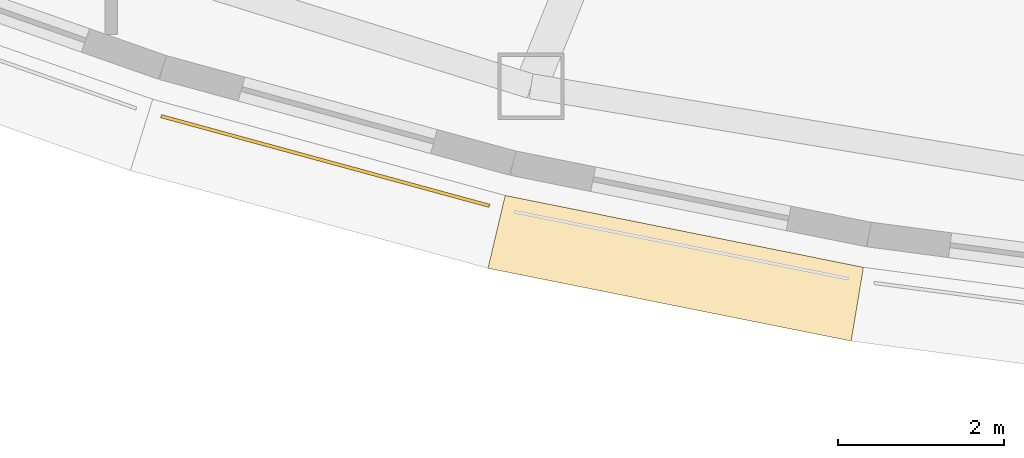
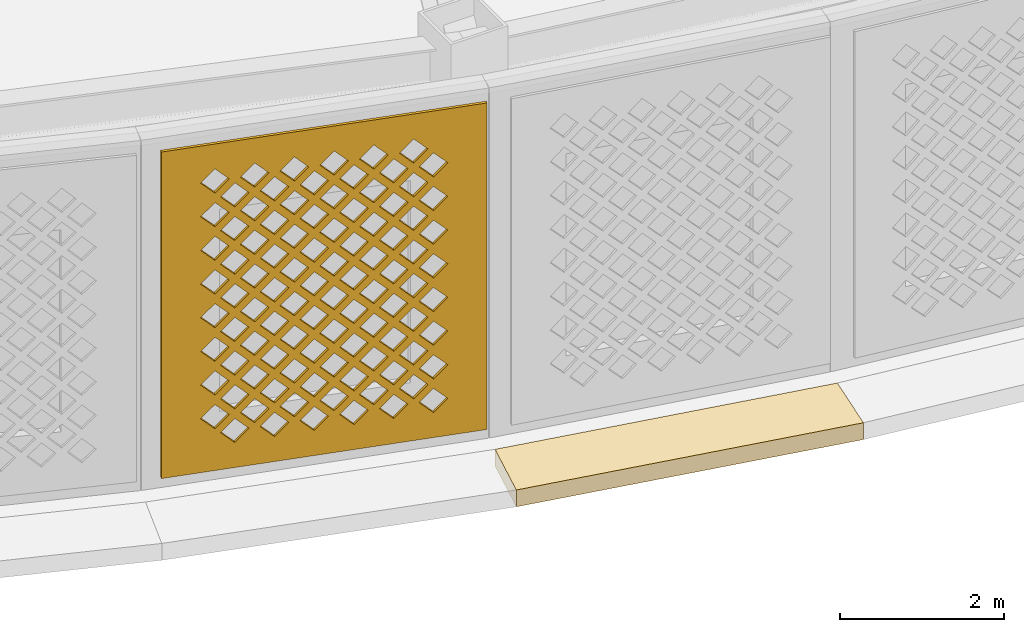
# One storey, part 43 of 63: 2 coverings.
"""IFC4 building model written with IfcOpenShell, lengths in metres."""

from ifc_helpers import new_model, si_unit, direction, frame, origin, place, context, subcontext, project, spatial, polyline, outline, extrude, material, layer, layer_set, type_object, element, save


model = new_model("IFC4")

# Units and contexts
model_context = context("Model", 3, precision=1e-05, world=origin(), true_north=direction((0.0, 1.0)))
body_context = subcontext(model_context, "Body", "Model", "MODEL_VIEW")
ifc_project = project(units=[si_unit("LENGTHUNIT", "METRE"), si_unit("AREAUNIT", "SQUARE_METRE"), si_unit("VOLUMEUNIT", "CUBIC_METRE"), si_unit("PLANEANGLEUNIT", "RADIAN"), si_unit("MASSUNIT", "GRAM", prefix="KILO")], contexts=[model_context])

# Site, building, storey
site_placement = place(None, origin())
site = spatial("IfcSite", under=ifc_project, at=site_placement, CompositionType="ELEMENT")
building_placement = place(site_placement, origin())
building = spatial("IfcBuilding", under=site, at=building_placement, Name="Noorbagh Ring Tower", CompositionType="ELEMENT")
storey_placement = place(building_placement, frame((0.0, 0.0, 25.0)))
storey = spatial("IfcBuildingStorey", under=building, at=storey_placement, Name="L04", CompositionType="ELEMENT", Elevation=25.0)

# Coverings
ifc_material_1 = material(Name="Red sandstone eave", Category="masonry")
covering_type_1 = type_object("IfcCoveringType", Name="STY-CHHAJJA", PredefinedType="USERDEFINED", material=ifc_material_1)
covering_1_placement = place(storey_placement, frame((0.0, 0.0, -0.25)))
element("IfcCovering", 1, at=covering_1_placement, inside=storey, type_object=covering_type_1, Name="Chhajja eave", ObjectType="CHHAJJA", PredefinedType="USERDEFINED", context=body_context, shape_type="SweptSolid", body=[
    extrude(outline(polyline([(-15.2568359375, -38.239501953125), (-10.945556640625, -39.103759765625), (-11.093017578125, -39.9921875), (-15.464111328125, -39.115966796875), (-15.2568359375, -38.239501953125)])), origin(), (0.0, 0.0, 1.0), 0.25),
])
ifc_material_2 = material(Name="Red sandstone jali", Category="masonry")
ifc_layer = layer(ifc_material_2, 0.0400390625)
ifc_layer_set = layer_set([ifc_layer], Name="Red sandstone jali")
covering_type_2 = type_object("IfcCoveringType", Name="STY-JALI", PredefinedType="USERDEFINED", material=ifc_layer_set)
covering_2_placement = place(storey_placement, frame((-19.40380859375, -37.30419921875, 0.449951171875), z_axis=(-0.26339977228, -0.964686767797, 0.0), x_axis=(0.964686767797, -0.26339977228, 0.0)))
element("IfcCovering", 2, at=covering_2_placement, inside=storey, type_object=covering_type_2, Name="Jali screen", ObjectType="SCREEN", PredefinedType="USERDEFINED", context=body_context, shape_type="SweptSolid", body=[
    extrude(outline(polyline([(0.0, 0.0), (4.096923828125, 0.0), (4.096923828125, 4.85009765625), (0.0, 4.85009765625), (0.0, 0.0)]), holes=[polyline([(0.743408203125, 0.550048828125), (0.923583984375, 0.3701171875), (1.103515625, 0.550048828125), (0.923583984375, 0.72998046875), (0.743408203125, 0.550048828125)]), polyline([(1.243408203125, 0.550048828125), (1.423583984375, 0.3701171875), (1.603515625, 0.550048828125), (1.423583984375, 0.72998046875), (1.243408203125, 0.550048828125)]), polyline([(1.743408203125, 0.550048828125), (1.923583984375, 0.3701171875), (2.103515625, 0.550048828125), (1.923583984375, 0.72998046875), (1.743408203125, 0.550048828125)]), polyline([(2.243408203125, 0.550048828125), (2.423583984375, 0.3701171875), (2.603515625, 0.550048828125), (2.423583984375, 0.72998046875), (2.243408203125, 0.550048828125)]), polyline([(2.743408203125, 0.550048828125), (2.923583984375, 0.3701171875), (3.103515625, 0.550048828125), (2.923583984375, 0.72998046875), (2.743408203125, 0.550048828125)]), polyline([(3.243408203125, 0.550048828125), (3.423583984375, 0.3701171875), (3.603515625, 0.550048828125), (3.423583984375, 0.72998046875), (3.243408203125, 0.550048828125)]), polyline([(0.493408203125, 0.800048828125), (0.673583984375, 0.6201171875), (0.853515625, 0.800048828125), (0.673583984375, 0.97998046875), (0.493408203125, 0.800048828125)]), polyline([(0.993408203125, 0.800048828125), (1.173583984375, 0.6201171875), (1.353515625, 0.800048828125), (1.173583984375, 0.97998046875), (0.993408203125, 0.800048828125)]), polyline([(1.493408203125, 0.800048828125), (1.673583984375, 0.6201171875), (1.853515625, 0.800048828125), (1.673583984375, 0.97998046875), (1.493408203125, 0.800048828125)]), polyline([(1.993408203125, 0.800048828125), (2.173583984375, 0.6201171875), (2.353515625, 0.800048828125), (2.173583984375, 0.97998046875), (1.993408203125, 0.800048828125)]), polyline([(2.493408203125, 0.800048828125), (2.673583984375, 0.6201171875), (2.853515625, 0.800048828125), (2.673583984375, 0.97998046875), (2.493408203125, 0.800048828125)]), polyline([(2.993408203125, 0.800048828125), (3.173583984375, 0.6201171875), (3.353515625, 0.800048828125), (3.173583984375, 0.97998046875), (2.993408203125, 0.800048828125)]), polyline([(0.743408203125, 1.050048828125), (0.923583984375, 0.8701171875), (1.103515625, 1.050048828125), (0.923583984375, 1.22998046875), (0.743408203125, 1.050048828125)]), polyline([(1.243408203125, 1.050048828125), (1.423583984375, 0.8701171875), (1.603515625, 1.050048828125), (1.423583984375, 1.22998046875), (1.243408203125, 1.050048828125)]), polyline([(1.743408203125, 1.050048828125), (1.923583984375, 0.8701171875), (2.103515625, 1.050048828125), (1.923583984375, 1.22998046875), (1.743408203125, 1.050048828125)]), polyline([(2.243408203125, 1.050048828125), (2.423583984375, 0.8701171875), (2.603515625, 1.050048828125), (2.423583984375, 1.22998046875), (2.243408203125, 1.050048828125)]), polyline([(2.743408203125, 1.050048828125), (2.923583984375, 0.8701171875), (3.103515625, 1.050048828125), (2.923583984375, 1.22998046875), (2.743408203125, 1.050048828125)]), polyline([(3.243408203125, 1.050048828125), (3.423583984375, 0.8701171875), (3.603515625, 1.050048828125), (3.423583984375, 1.22998046875), (3.243408203125, 1.050048828125)]), polyline([(0.493408203125, 1.300048828125), (0.673583984375, 1.1201171875), (0.853515625, 1.300048828125), (0.673583984375, 1.47998046875), (0.493408203125, 1.300048828125)]), polyline([(0.993408203125, 1.300048828125), (1.173583984375, 1.1201171875), (1.353515625, 1.300048828125), (1.173583984375, 1.47998046875), (0.993408203125, 1.300048828125)]), polyline([(1.493408203125, 1.300048828125), (1.673583984375, 1.1201171875), (1.853515625, 1.300048828125), (1.673583984375, 1.47998046875), (1.493408203125, 1.300048828125)]), polyline([(1.993408203125, 1.300048828125), (2.173583984375, 1.1201171875), (2.353515625, 1.300048828125), (2.173583984375, 1.47998046875), (1.993408203125, 1.300048828125)]), polyline([(2.493408203125, 1.300048828125), (2.673583984375, 1.1201171875), (2.853515625, 1.300048828125), (2.673583984375, 1.47998046875), (2.493408203125, 1.300048828125)]), polyline([(2.993408203125, 1.300048828125), (3.173583984375, 1.1201171875), (3.353515625, 1.300048828125), (3.173583984375, 1.47998046875), (2.993408203125, 1.300048828125)]), polyline([(0.743408203125, 1.550048828125), (0.923583984375, 1.3701171875), (1.103515625, 1.550048828125), (0.923583984375, 1.72998046875), (0.743408203125, 1.550048828125)]), polyline([(1.243408203125, 1.550048828125), (1.423583984375, 1.3701171875), (1.603515625, 1.550048828125), (1.423583984375, 1.72998046875), (1.243408203125, 1.550048828125)]), polyline([(1.743408203125, 1.550048828125), (1.923583984375, 1.3701171875), (2.103515625, 1.550048828125), (1.923583984375, 1.72998046875), (1.743408203125, 1.550048828125)]), polyline([(2.243408203125, 1.550048828125), (2.423583984375, 1.3701171875), (2.603515625, 1.550048828125), (2.423583984375, 1.72998046875), (2.243408203125, 1.550048828125)]), polyline([(2.743408203125, 1.550048828125), (2.923583984375, 1.3701171875), (3.103515625, 1.550048828125), (2.923583984375, 1.72998046875), (2.743408203125, 1.550048828125)]), polyline([(3.243408203125, 1.550048828125), (3.423583984375, 1.3701171875), (3.603515625, 1.550048828125), (3.423583984375, 1.72998046875), (3.243408203125, 1.550048828125)]), polyline([(0.493408203125, 1.800048828125), (0.673583984375, 1.6201171875), (0.853515625, 1.800048828125), (0.673583984375, 1.97998046875), (0.493408203125, 1.800048828125)]), polyline([(0.993408203125, 1.800048828125), (1.173583984375, 1.6201171875), (1.353515625, 1.800048828125), (1.173583984375, 1.97998046875), (0.993408203125, 1.800048828125)]), polyline([(1.493408203125, 1.800048828125), (1.673583984375, 1.6201171875), (1.853515625, 1.800048828125), (1.673583984375, 1.97998046875), (1.493408203125, 1.800048828125)]), polyline([(1.993408203125, 1.800048828125), (2.173583984375, 1.6201171875), (2.353515625, 1.800048828125), (2.173583984375, 1.97998046875), (1.993408203125, 1.800048828125)]), polyline([(2.493408203125, 1.800048828125), (2.673583984375, 1.6201171875), (2.853515625, 1.800048828125), (2.673583984375, 1.97998046875), (2.493408203125, 1.800048828125)]), polyline([(2.993408203125, 1.800048828125), (3.173583984375, 1.6201171875), (3.353515625, 1.800048828125), (3.173583984375, 1.97998046875), (2.993408203125, 1.800048828125)]), polyline([(0.743408203125, 2.050048828125), (0.923583984375, 1.8701171875), (1.103515625, 2.050048828125), (0.923583984375, 2.22998046875), (0.743408203125, 2.050048828125)]), polyline([(1.243408203125, 2.050048828125), (1.423583984375, 1.8701171875), (1.603515625, 2.050048828125), (1.423583984375, 2.22998046875), (1.243408203125, 2.050048828125)]), polyline([(1.743408203125, 2.050048828125), (1.923583984375, 1.8701171875), (2.103515625, 2.050048828125), (1.923583984375, 2.22998046875), (1.743408203125, 2.050048828125)]), polyline([(2.243408203125, 2.050048828125), (2.423583984375, 1.8701171875), (2.603515625, 2.050048828125), (2.423583984375, 2.22998046875), (2.243408203125, 2.050048828125)]), polyline([(2.743408203125, 2.050048828125), (2.923583984375, 1.8701171875), (3.103515625, 2.050048828125), (2.923583984375, 2.22998046875), (2.743408203125, 2.050048828125)]), polyline([(3.243408203125, 2.050048828125), (3.423583984375, 1.8701171875), (3.603515625, 2.050048828125), (3.423583984375, 2.22998046875), (3.243408203125, 2.050048828125)]), polyline([(0.493408203125, 2.300048828125), (0.673583984375, 2.1201171875), (0.853515625, 2.300048828125), (0.673583984375, 2.47998046875), (0.493408203125, 2.300048828125)]), polyline([(0.993408203125, 2.300048828125), (1.173583984375, 2.1201171875), (1.353515625, 2.300048828125), (1.173583984375, 2.47998046875), (0.993408203125, 2.300048828125)]), polyline([(1.493408203125, 2.300048828125), (1.673583984375, 2.1201171875), (1.853515625, 2.300048828125), (1.673583984375, 2.47998046875), (1.493408203125, 2.300048828125)]), polyline([(1.993408203125, 2.300048828125), (2.173583984375, 2.1201171875), (2.353515625, 2.300048828125), (2.173583984375, 2.47998046875), (1.993408203125, 2.300048828125)]), polyline([(2.493408203125, 2.300048828125), (2.673583984375, 2.1201171875), (2.853515625, 2.300048828125), (2.673583984375, 2.47998046875), (2.493408203125, 2.300048828125)]), polyline([(2.993408203125, 2.300048828125), (3.173583984375, 2.1201171875), (3.353515625, 2.300048828125), (3.173583984375, 2.47998046875), (2.993408203125, 2.300048828125)]), polyline([(0.743408203125, 2.550048828125), (0.923583984375, 2.3701171875), (1.103515625, 2.550048828125), (0.923583984375, 2.72998046875), (0.743408203125, 2.550048828125)]), polyline([(1.243408203125, 2.550048828125), (1.423583984375, 2.3701171875), (1.603515625, 2.550048828125), (1.423583984375, 2.72998046875), (1.243408203125, 2.550048828125)]), polyline([(1.743408203125, 2.550048828125), (1.923583984375, 2.3701171875), (2.103515625, 2.550048828125), (1.923583984375, 2.72998046875), (1.743408203125, 2.550048828125)]), polyline([(2.243408203125, 2.550048828125), (2.423583984375, 2.3701171875), (2.603515625, 2.550048828125), (2.423583984375, 2.72998046875), (2.243408203125, 2.550048828125)]), polyline([(2.743408203125, 2.550048828125), (2.923583984375, 2.3701171875), (3.103515625, 2.550048828125), (2.923583984375, 2.72998046875), (2.743408203125, 2.550048828125)]), polyline([(3.243408203125, 2.550048828125), (3.423583984375, 2.3701171875), (3.603515625, 2.550048828125), (3.423583984375, 2.72998046875), (3.243408203125, 2.550048828125)]), polyline([(0.493408203125, 2.800048828125), (0.673583984375, 2.6201171875), (0.853515625, 2.800048828125), (0.673583984375, 2.97998046875), (0.493408203125, 2.800048828125)]), polyline([(0.993408203125, 2.800048828125), (1.173583984375, 2.6201171875), (1.353515625, 2.800048828125), (1.173583984375, 2.97998046875), (0.993408203125, 2.800048828125)]), polyline([(1.493408203125, 2.800048828125), (1.673583984375, 2.6201171875), (1.853515625, 2.800048828125), (1.673583984375, 2.97998046875), (1.493408203125, 2.800048828125)]), polyline([(1.993408203125, 2.800048828125), (2.173583984375, 2.6201171875), (2.353515625, 2.800048828125), (2.173583984375, 2.97998046875), (1.993408203125, 2.800048828125)]), polyline([(2.493408203125, 2.800048828125), (2.673583984375, 2.6201171875), (2.853515625, 2.800048828125), (2.673583984375, 2.97998046875), (2.493408203125, 2.800048828125)]), polyline([(2.993408203125, 2.800048828125), (3.173583984375, 2.6201171875), (3.353515625, 2.800048828125), (3.173583984375, 2.97998046875), (2.993408203125, 2.800048828125)]), polyline([(0.743408203125, 3.050048828125), (0.923583984375, 2.8701171875), (1.103515625, 3.050048828125), (0.923583984375, 3.22998046875), (0.743408203125, 3.050048828125)]), polyline([(1.243408203125, 3.050048828125), (1.423583984375, 2.8701171875), (1.603515625, 3.050048828125), (1.423583984375, 3.22998046875), (1.243408203125, 3.050048828125)]), polyline([(1.743408203125, 3.050048828125), (1.923583984375, 2.8701171875), (2.103515625, 3.050048828125), (1.923583984375, 3.22998046875), (1.743408203125, 3.050048828125)]), polyline([(2.243408203125, 3.050048828125), (2.423583984375, 2.8701171875), (2.603515625, 3.050048828125), (2.423583984375, 3.22998046875), (2.243408203125, 3.050048828125)]), polyline([(2.743408203125, 3.050048828125), (2.923583984375, 2.8701171875), (3.103515625, 3.050048828125), (2.923583984375, 3.22998046875), (2.743408203125, 3.050048828125)]), polyline([(3.243408203125, 3.050048828125), (3.423583984375, 2.8701171875), (3.603515625, 3.050048828125), (3.423583984375, 3.22998046875), (3.243408203125, 3.050048828125)]), polyline([(0.493408203125, 3.300048828125), (0.673583984375, 3.1201171875), (0.853515625, 3.300048828125), (0.673583984375, 3.47998046875), (0.493408203125, 3.300048828125)]), polyline([(0.993408203125, 3.300048828125), (1.173583984375, 3.1201171875), (1.353515625, 3.300048828125), (1.173583984375, 3.47998046875), (0.993408203125, 3.300048828125)]), polyline([(1.493408203125, 3.300048828125), (1.673583984375, 3.1201171875), (1.853515625, 3.300048828125), (1.673583984375, 3.47998046875), (1.493408203125, 3.300048828125)]), polyline([(1.993408203125, 3.300048828125), (2.173583984375, 3.1201171875), (2.353515625, 3.300048828125), (2.173583984375, 3.47998046875), (1.993408203125, 3.300048828125)]), polyline([(2.493408203125, 3.300048828125), (2.673583984375, 3.1201171875), (2.853515625, 3.300048828125), (2.673583984375, 3.47998046875), (2.493408203125, 3.300048828125)]), polyline([(2.993408203125, 3.300048828125), (3.173583984375, 3.1201171875), (3.353515625, 3.300048828125), (3.173583984375, 3.47998046875), (2.993408203125, 3.300048828125)]), polyline([(0.743408203125, 3.550048828125), (0.923583984375, 3.3701171875), (1.103515625, 3.550048828125), (0.923583984375, 3.72998046875), (0.743408203125, 3.550048828125)]), polyline([(1.243408203125, 3.550048828125), (1.423583984375, 3.3701171875), (1.603515625, 3.550048828125), (1.423583984375, 3.72998046875), (1.243408203125, 3.550048828125)]), polyline([(1.743408203125, 3.550048828125), (1.923583984375, 3.3701171875), (2.103515625, 3.550048828125), (1.923583984375, 3.72998046875), (1.743408203125, 3.550048828125)]), polyline([(2.243408203125, 3.550048828125), (2.423583984375, 3.3701171875), (2.603515625, 3.550048828125), (2.423583984375, 3.72998046875), (2.243408203125, 3.550048828125)]), polyline([(2.743408203125, 3.550048828125), (2.923583984375, 3.3701171875), (3.103515625, 3.550048828125), (2.923583984375, 3.72998046875), (2.743408203125, 3.550048828125)]), polyline([(3.243408203125, 3.550048828125), (3.423583984375, 3.3701171875), (3.603515625, 3.550048828125), (3.423583984375, 3.72998046875), (3.243408203125, 3.550048828125)]), polyline([(0.493408203125, 3.800048828125), (0.673583984375, 3.6201171875), (0.853515625, 3.800048828125), (0.673583984375, 3.97998046875), (0.493408203125, 3.800048828125)]), polyline([(0.993408203125, 3.800048828125), (1.173583984375, 3.6201171875), (1.353515625, 3.800048828125), (1.173583984375, 3.97998046875), (0.993408203125, 3.800048828125)]), polyline([(1.493408203125, 3.800048828125), (1.673583984375, 3.6201171875), (1.853515625, 3.800048828125), (1.673583984375, 3.97998046875), (1.493408203125, 3.800048828125)]), polyline([(1.993408203125, 3.800048828125), (2.173583984375, 3.6201171875), (2.353515625, 3.800048828125), (2.173583984375, 3.97998046875), (1.993408203125, 3.800048828125)]), polyline([(2.493408203125, 3.800048828125), (2.673583984375, 3.6201171875), (2.853515625, 3.800048828125), (2.673583984375, 3.97998046875), (2.493408203125, 3.800048828125)]), polyline([(2.993408203125, 3.800048828125), (3.173583984375, 3.6201171875), (3.353515625, 3.800048828125), (3.173583984375, 3.97998046875), (2.993408203125, 3.800048828125)]), polyline([(0.743408203125, 4.050048828125), (0.923583984375, 3.8701171875), (1.103515625, 4.050048828125), (0.923583984375, 4.22998046875), (0.743408203125, 4.050048828125)]), polyline([(1.243408203125, 4.050048828125), (1.423583984375, 3.8701171875), (1.603515625, 4.050048828125), (1.423583984375, 4.22998046875), (1.243408203125, 4.050048828125)]), polyline([(1.743408203125, 4.050048828125), (1.923583984375, 3.8701171875), (2.103515625, 4.050048828125), (1.923583984375, 4.22998046875), (1.743408203125, 4.050048828125)]), polyline([(2.243408203125, 4.050048828125), (2.423583984375, 3.8701171875), (2.603515625, 4.050048828125), (2.423583984375, 4.22998046875), (2.243408203125, 4.050048828125)]), polyline([(2.743408203125, 4.050048828125), (2.923583984375, 3.8701171875), (3.103515625, 4.050048828125), (2.923583984375, 4.22998046875), (2.743408203125, 4.050048828125)]), polyline([(3.243408203125, 4.050048828125), (3.423583984375, 3.8701171875), (3.603515625, 4.050048828125), (3.423583984375, 4.22998046875), (3.243408203125, 4.050048828125)]), polyline([(0.493408203125, 4.300048828125), (0.673583984375, 4.1201171875), (0.853515625, 4.300048828125), (0.673583984375, 4.47998046875), (0.493408203125, 4.300048828125)]), polyline([(0.993408203125, 4.300048828125), (1.173583984375, 4.1201171875), (1.353515625, 4.300048828125), (1.173583984375, 4.47998046875), (0.993408203125, 4.300048828125)]), polyline([(1.493408203125, 4.300048828125), (1.673583984375, 4.1201171875), (1.853515625, 4.300048828125), (1.673583984375, 4.47998046875), (1.493408203125, 4.300048828125)]), polyline([(1.993408203125, 4.300048828125), (2.173583984375, 4.1201171875), (2.353515625, 4.300048828125), (2.173583984375, 4.47998046875), (1.993408203125, 4.300048828125)]), polyline([(2.493408203125, 4.300048828125), (2.673583984375, 4.1201171875), (2.853515625, 4.300048828125), (2.673583984375, 4.47998046875), (2.493408203125, 4.300048828125)]), polyline([(2.993408203125, 4.300048828125), (3.173583984375, 4.1201171875), (3.353515625, 4.300048828125), (3.173583984375, 4.47998046875), (2.993408203125, 4.300048828125)])]), origin(), (0.0, 0.0, -1.0), 0.0400390625),
])

save(model, "model.ifc")
